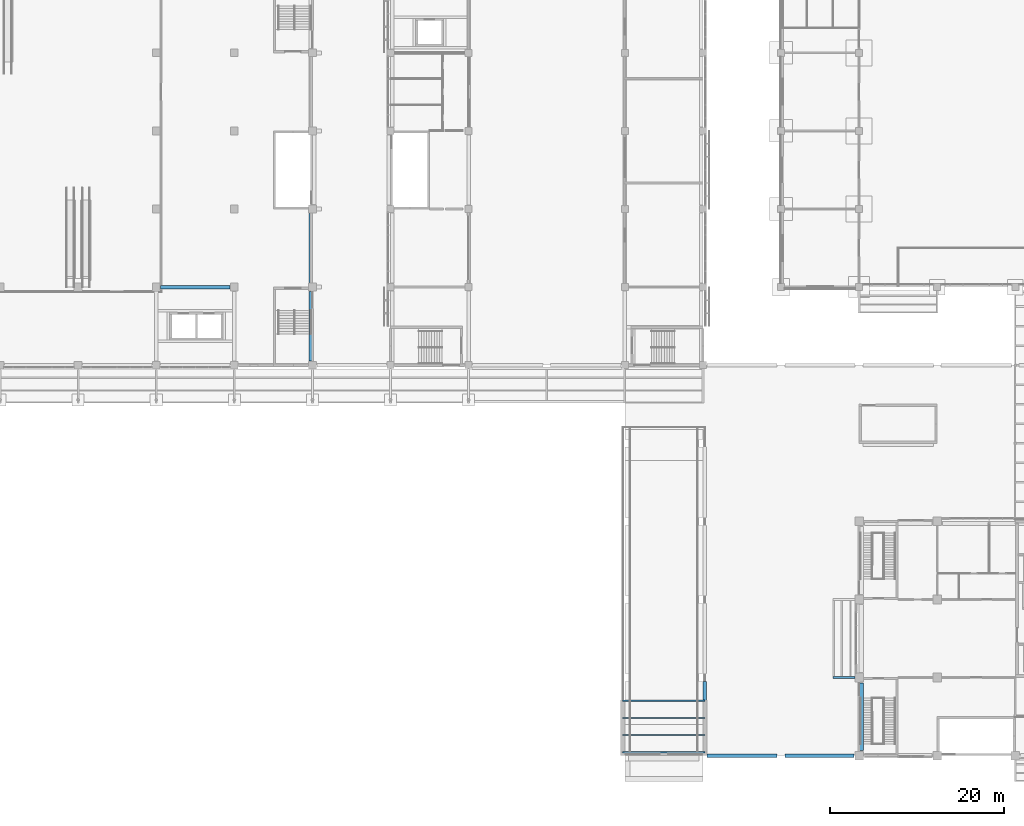
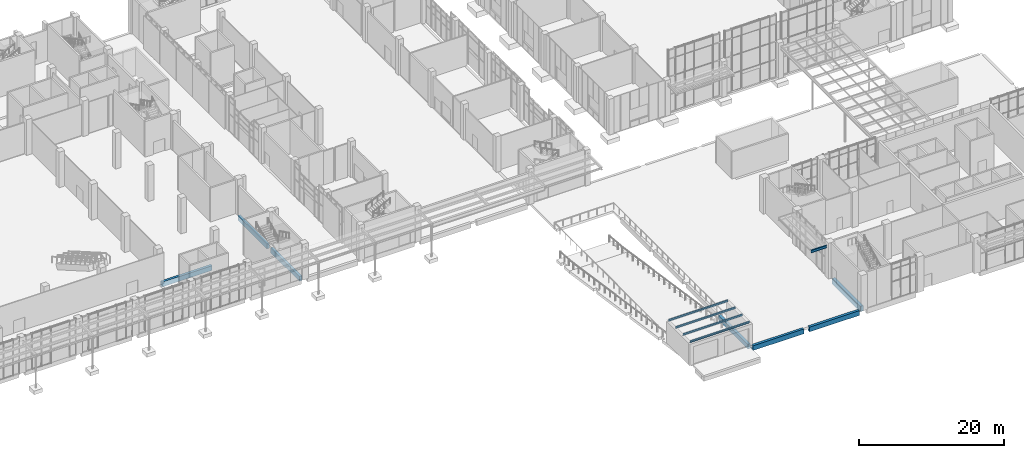
# One storey, part 12 of 86: 12 beams.
"""IFC4 building model written with IfcOpenShell, lengths in metres."""

from ifc_helpers import new_model, si_unit, direction, frame, origin, origin_2d, place, context, subcontext, project, spatial, rectangle, i_section, extrude, material, material_profile, profile_set, type_object, element, save


model = new_model("IFC4")

# Units and contexts
model_context = context("Model", 3, precision=1e-05, world=origin(), true_north=direction((0.0, 1.0)))
body_context = subcontext(model_context, "Body", "Model", "MODEL_VIEW")
ifc_project = project(units=[si_unit("LENGTHUNIT", "METRE"), si_unit("AREAUNIT", "SQUARE_METRE"), si_unit("VOLUMEUNIT", "CUBIC_METRE"), si_unit("PLANEANGLEUNIT", "RADIAN"), si_unit("MASSUNIT", "GRAM", prefix="KILO")], contexts=[model_context])

# Site, building, storey
site_placement = place(None, origin())
site = spatial("IfcSite", under=ifc_project, at=site_placement, CompositionType="ELEMENT")
building_placement = place(site_placement, origin())
building = spatial("IfcBuilding", under=site, at=building_placement, Name="Guidao Yard Department Store", CompositionType="ELEMENT")
storey_placement = place(building_placement, origin())
storey = spatial("IfcBuildingStorey", under=building, at=storey_placement, Name="L00", CompositionType="ELEMENT", Elevation=0.0)

# Beams
ifc_material_1 = material(Name="Concrete C40", Category="concrete")
ifc_material_profile_1 = material_profile(ifc_material_1, rectangle(XDim=0.39990234375, YDim=0.800048828125, at=origin_2d()), Name="Edge beam 400 x 800 C40")
ifc_profile_set_1 = profile_set([ifc_material_profile_1], Name="Concrete C40")
beam_type_1 = type_object("IfcBeamType", Name="Edge beam 400 x 800 C40", PredefinedType="BEAM", material=ifc_profile_set_1)
for number, where, z_axis, x_axis, name in (
    (1, (62.800048828125, 45.5, -0.39990234375), (0.0, 1.0, 0.0), (-1.0, 0.0, 0.0), "Beam EB23"),
    (2, (62.800048828125, 54.5, -0.39990234375), (0.0, 1.0, 0.0), (-1.0, 0.0, 0.0), "Beam EB24"),
    (3, (45.5, 54.0, -0.39990234375), (1.0, 0.0, 0.0), (0.0, 1.0, 0.0), "Beam EB93"),
):
    element("IfcBeam", number, at=place(storey_placement, frame(where, z_axis=z_axis, x_axis=x_axis)), inside=storey, type_object=beam_type_1, Name=name, PredefinedType="BEAM", context=body_context, shape_type="SweptSolid", body=[
        extrude(rectangle(XDim=0.39990234375, YDim=0.800048828125, at=origin_2d()), origin(), (0.0, 0.0, 1.0), 8.0),
    ])
ifc_material_2 = material(Name="Concrete C40", Category="concrete")
ifc_material_profile_2 = material_profile(ifc_material_2, rectangle(XDim=0.5, YDim=0.89990234375, at=origin_2d()), Name="Edge beam 500 x 900 C40")
ifc_profile_set_2 = profile_set([ifc_material_profile_2], Name="Concrete C40")
beam_type_2 = type_object("IfcBeamType", Name="Edge beam 500 x 900 C40", PredefinedType="BEAM", material=ifc_profile_set_2)
beam_1_placement = place(storey_placement, frame((126.25, 0.60009765625, -0.449951171875), z_axis=(0.0, 1.0, 0.0), x_axis=(-1.0, 0.0, 0.0)))
element("IfcBeam", 4, at=beam_1_placement, inside=storey, type_object=beam_type_2, Name="Beam FB12", PredefinedType="BEAM", context=body_context, shape_type="SweptSolid", body=[
    extrude(rectangle(XDim=0.5, YDim=0.89990234375, at=origin_2d()), origin(), (0.0, 0.0, 1.0), 7.7998046875),
])
ifc_material_3 = material(Name="Steel Q355B", Category="steel")
ifc_material_profile_3 = material_profile(ifc_material_3, i_section(OverallWidth=0.199951171875, OverallDepth=0.449951171875, WebThickness=0.009033203125, FlangeThickness=0.013916015625, FilletRadius=0.012939453125, at=origin_2d()), Name="HN 450x200x9x14")
ifc_profile_set_3 = profile_set([ifc_material_profile_3], Name="Steel Q355B")
beam_type_3 = type_object("IfcBeamType", Name="HN 450x200x9x14", PredefinedType="BEAM", material=ifc_profile_set_3)
beam_2_placement = place(storey_placement, frame((125.5, 9.0, 5.22509765625), z_axis=(-1.0, 0.0, 0.0), x_axis=(0.0, -1.0, 0.0)))
element("IfcBeam", 5, at=beam_2_placement, inside=storey, type_object=beam_type_3, Name="Canopy beam OW-1", PredefinedType="BEAM", context=body_context, shape_type="SweptSolid", body=[
    extrude(i_section(OverallWidth=0.199951171875, OverallDepth=0.449951171875, WebThickness=0.009033203125, FlangeThickness=0.013916015625, FilletRadius=0.012939453125, at=origin_2d()), origin(), (0.0, 0.0, 1.0), 2.5),
])
ifc_material_4 = material(Name="Steel Q355B", Category="steel")
ifc_material_profile_4 = material_profile(ifc_material_4, i_section(OverallWidth=0.14990234375, OverallDepth=0.300048828125, WebThickness=0.006591796875, FlangeThickness=0.009033203125, FilletRadius=0.012939453125, at=origin_2d()), Name="HN 300x150x6.5x9")
ifc_profile_set_4 = profile_set([ifc_material_profile_4], Name="Steel Q355B")
beam_type_4 = type_object("IfcBeamType", Name="Ramp portal canopy beam HN 300x150x6.5x9", PredefinedType="BEAM", material=ifc_profile_set_4)
for number, where, z_axis, x_axis, name in (
    (6, (98.75, 0.39990234375, 3.75), (1.0, 0.0, 0.0), (0.0, 1.0, 0.0), "Ramp A canopy beam 1"),
    (7, (98.75, 2.375, 3.75), (1.0, 0.0, 0.0), (0.0, 1.0, 0.0), "Ramp A canopy beam 2"),
    (8, (98.75, 4.35009765625, 3.75), (1.0, 0.0, 0.0), (0.0, 1.0, 0.0), "Ramp A canopy beam 3"),
    (9, (98.75, 6.324951171875, 3.75), (1.0, 0.0, 0.0), (0.0, 1.0, 0.0), "Ramp A canopy beam 4"),
):
    element("IfcBeam", number, at=place(storey_placement, frame(where, z_axis=z_axis, x_axis=x_axis)), inside=storey, type_object=beam_type_4, Name=name, PredefinedType="BEAM", context=body_context, shape_type="SweptSolid", body=[
        extrude(i_section(OverallWidth=0.14990234375, OverallDepth=0.300048828125, WebThickness=0.006591796875, FlangeThickness=0.009033203125, FilletRadius=0.012939453125, at=origin_2d()), origin(), (0.0, 0.0, 1.0), 9.5),
    ])
ifc_material_5 = material(Name="Concrete C40", Category="concrete")
ifc_material_profile_5 = material_profile(ifc_material_5, rectangle(XDim=0.39990234375, YDim=0.800048828125, at=origin_2d()), Name="Spandrel beam 400 x 800 C40")
ifc_profile_set_5 = profile_set([ifc_material_profile_5], Name="Concrete C40")
beam_type_5 = type_object("IfcBeamType", Name="Spandrel beam 400 x 800 C40", PredefinedType="SPANDREL", material=ifc_profile_set_5)
beam_3_placement = place(storey_placement, frame((108.449951171875, 0.0, -0.39990234375), z_axis=(1.0, 0.0, 0.0), x_axis=(0.0, 1.0, 0.0)))
element("IfcBeam", 10, at=beam_3_placement, inside=storey, type_object=beam_type_5, Name="Beam EB75", PredefinedType="SPANDREL", context=body_context, shape_type="SweptSolid", body=[
    extrude(rectangle(XDim=0.39990234375, YDim=0.800048828125, at=origin_2d()), origin(), (0.0, 0.0, 1.0), 8.10009765625),
])
beam_4_placement = place(storey_placement, frame((117.449951171875, 0.0, -0.39990234375), z_axis=(1.0, 0.0, 0.0), x_axis=(0.0, 1.0, 0.0)))
element("IfcBeam", 11, at=beam_4_placement, inside=storey, type_object=beam_type_5, Name="Beam EB76", PredefinedType="SPANDREL", context=body_context, shape_type="SweptSolid", body=[
    extrude(rectangle(XDim=0.39990234375, YDim=0.800048828125, at=origin_2d()), origin(), (0.0, 0.0, 1.0), 7.949951171875),
])
beam_5_placement = place(storey_placement, frame((108.199951171875, 0.449951171875, -0.39990234375), z_axis=(0.0, 1.0, 0.0), x_axis=(-1.0, 0.0, 0.0)))
element("IfcBeam", 12, at=beam_5_placement, inside=storey, type_object=beam_type_5, Name="Beam EB77", PredefinedType="SPANDREL", context=body_context, shape_type="SweptSolid", body=[
    extrude(rectangle(XDim=0.39990234375, YDim=0.800048828125, at=origin_2d()), origin(), (0.0, 0.0, 1.0), 8.10009765625),
])

save(model, "model.ifc")
